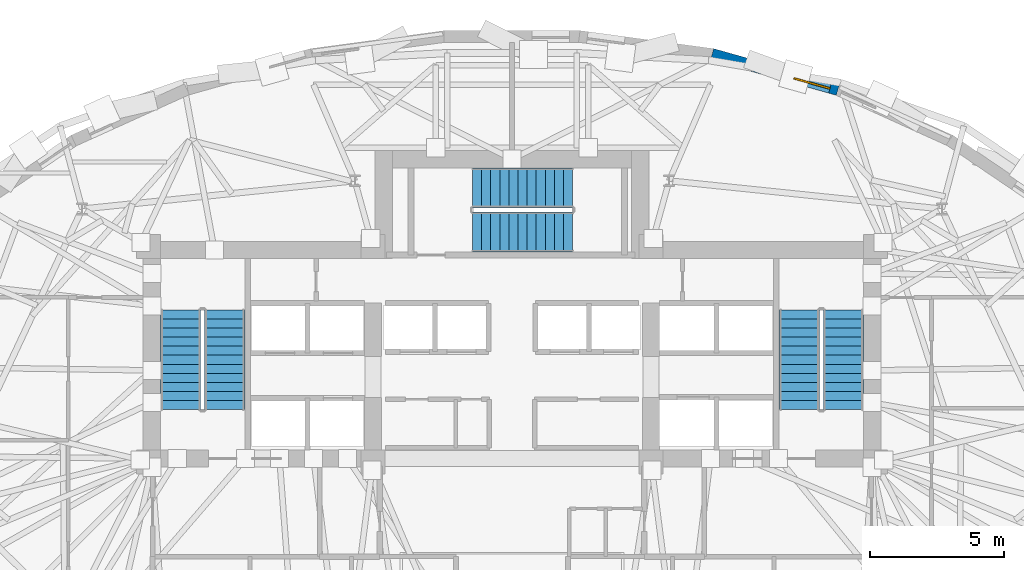
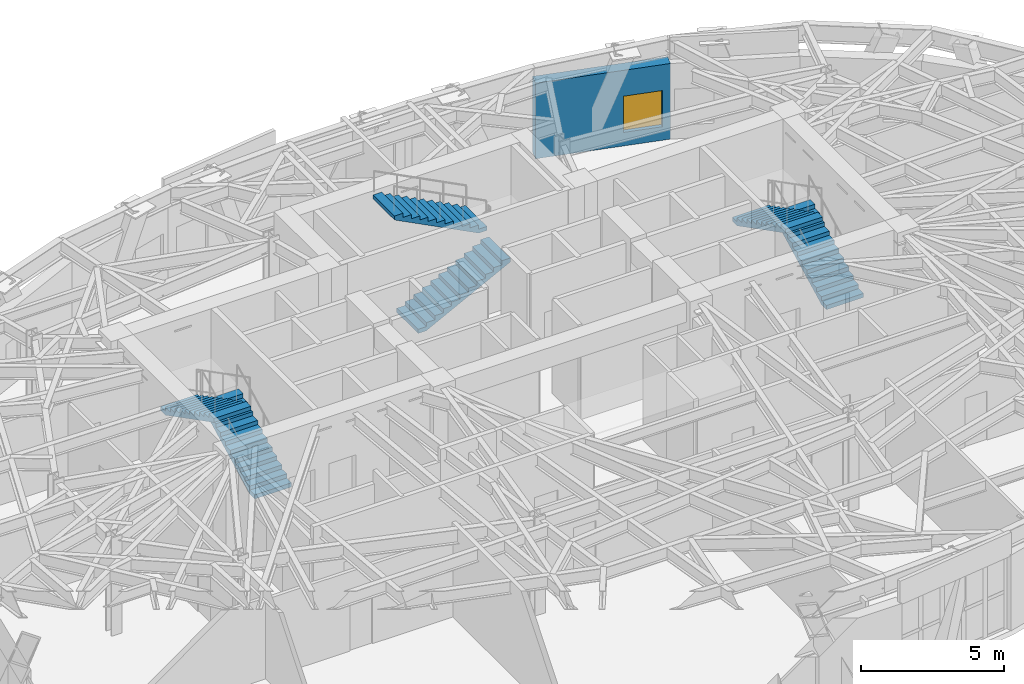
# One storey, part 12 of 16: 6 stair flights, 1 wall, 1 window, 1 opening, 3 elements without a shape of their own.
"""IFC4 building model written with IfcOpenShell, lengths in metres."""

from ifc_helpers import new_model, si_unit, direction, frame, frame_2d, origin, place, context, subcontext, project, spatial, polyline, rectangle, outline, extrude, material, layer, layer_set, type_object, element, fill, aggregate, save


model = new_model("IFC4")

# Units and contexts
model_context = context("Model", 3, precision=1e-05, world=origin(), true_north=direction((0.0, 1.0)))
body_context = subcontext(model_context, "Body", "Model", "MODEL_VIEW")
ifc_project = project(units=[si_unit("LENGTHUNIT", "METRE"), si_unit("AREAUNIT", "SQUARE_METRE"), si_unit("VOLUMEUNIT", "CUBIC_METRE"), si_unit("PLANEANGLEUNIT", "RADIAN"), si_unit("MASSUNIT", "GRAM", prefix="KILO")], contexts=[model_context])

# Site, building, storey
site_placement = place(None, origin())
site = spatial("IfcSite", under=ifc_project, at=site_placement, CompositionType="ELEMENT")
building_placement = place(site_placement, origin())
building = spatial("IfcBuilding", under=site, at=building_placement, Name="Keldmark Tower", CompositionType="ELEMENT")
storey_placement = place(building_placement, frame((0.0, 0.0, 139.60009765625)))
storey = spatial("IfcBuildingStorey", under=building, at=storey_placement, Name="L37", CompositionType="ELEMENT", Elevation=139.60009765625)

# Wall, opening, window
ifc_material_1 = material(Name="Ironspot Manganese Brick and Kasota Buff Limestone Spandrel Assembly", Category="masonry")
ifc_layer = layer(ifc_material_1, 0.43994140625)
ifc_layer_set = layer_set([ifc_layer], Name="Ironspot Manganese Brick and Kasota Buff Limestone Spandrel Assembly")
wall_type = type_object("IfcWallType", Name="Tower Brick Pier and Spandrel Wall 440 mm", PredefinedType="STANDARD", material=ifc_layer_set)
wall_placement = place(storey_placement, frame((7.48779296875, 16.6494140625, 0.0), z_axis=(0.0, 0.0, 1.0), x_axis=(0.962790668442, -0.270248272446, 0.0)))
wall = element("IfcWall", 1, at=wall_placement, inside=storey, type_object=wall_type, Name="L37 Exterior Brick and Spandrel Wall 06", PredefinedType="STANDARD", context=body_context, shape_type="SweptSolid", body=[
    extrude(rectangle(XDim=4.890869140625, YDim=0.43994140625, at=frame_2d((2.4453125, 0.0))), origin(), (0.0, 0.0, 1.0), 3.23779296875),
])
opening_placement = place(wall_placement, frame((3.191162109375, 0.0, 0.580078125)))
opening = element("IfcOpeningElement", 2, at=opening_placement, cuts=wall, Name="Opening W-08", PredefinedType="OPENING", context=body_context, shape_type="SweptSolid", body=[
    extrude(rectangle(XDim=1.39990234375, YDim=1.550048828125, at=frame_2d((0.699951171875, 0.77490234375))), frame((0.0, 0.22998046875, 0.0), z_axis=(0.0, -1.0, 0.0), x_axis=(1.0, 0.0, 0.0)), (0.0, 0.0, 1.0), 0.4599609375),
])
ifc_material_2 = material(Name="Thermally Broken Anodized Aluminum and Triple Low-E Argon Glazing", Category="aluminium")
window_type = type_object("IfcWindowType", Name="Residential Corner Punched Window 1400x1550", PartitioningType="SINGLE_PANEL", PredefinedType="WINDOW", material=ifc_material_2)
window_placement = place(opening_placement, origin())
window = element("IfcWindow", 3, at=window_placement, inside=storey, type_object=window_type, Name="L37 Deep-Set Window 06", OverallHeight=1.550048828125, OverallWidth=1.39990234375, PartitioningType="SINGLE_PANEL", PredefinedType="WINDOW", context=body_context, shape_type="SweptSolid", body=[
    extrude(rectangle(XDim=1.39990234375, YDim=1.550048828125, at=frame_2d((0.699951171875, 0.77490234375))), frame((0.0, -0.010009765625, 0.0), z_axis=(0.0, -1.0, 0.0), x_axis=(1.0, 0.0, 0.0)), (0.0, 0.0, 1.0), 0.06005859375),
])
fill(opening, window)

# Stair, stair flights
ifc_material_3 = material(Name="Concrete C40/50", Category="concrete")
stair_type = type_object("IfcStairType", Name="Precast Concrete Core Exit Stair", PredefinedType="HALF_TURN_STAIR", material=ifc_material_3)
stair_1_placement = place(storey_placement, origin())
stair_1 = element("IfcStair", 4, at=stair_1_placement, inside=storey, type_object=stair_type, Name="L37 Exit Stair ST1", PredefinedType="HALF_TURN_STAIR")
ifc_material_4 = material(Name="Concrete C40/50", Category="concrete")
stair_flight_type = type_object("IfcStairFlightType", Name="Precast Concrete Stair Flight 1500 mm", PredefinedType="STRAIGHT", material=ifc_material_4)
stair_flight_1_placement = place(storey_placement, frame((-10.75, 3.35009765625, 0.0), z_axis=(0.0, 0.0, 1.0), x_axis=(0.0, 1.0, 0.0)))
stair_flight_1 = element("IfcStairFlight", 5, at=stair_flight_1_placement, type_object=stair_flight_type, Name="ST1 flight 1", NumberOfRisers=12, NumberOfTreads=11, PredefinedType="STRAIGHT", RiserHeight=0.175, TreadLength=0.34, context=body_context, shape_type="SweptSolid", body=[
    extrude(outline(polyline([(0.0, 0.0), (0.0, 0.175048828125), (0.340087890625, 0.175048828125), (0.340087890625, 0.35009765625), (0.679931640625, 0.35009765625), (0.679931640625, 0.52490234375), (1.02001953125, 0.52490234375), (1.02001953125, 0.699951171875), (1.360107421875, 0.699951171875), (1.360107421875, 0.875), (1.699951171875, 0.875), (1.699951171875, 1.050048828125), (2.0400390625, 1.050048828125), (2.0400390625, 1.22509765625), (2.3798828125, 1.22509765625), (2.3798828125, 1.39990234375), (2.719970703125, 1.39990234375), (2.719970703125, 1.574951171875), (3.06005859375, 1.574951171875), (3.06005859375, 1.75), (3.39990234375, 1.75), (3.39990234375, 1.925048828125), (3.739990234375, 1.925048828125), (3.739990234375, 2.10009765625), (3.739990234375, 1.75634765625), (0.32763671875, 0.0), (0.0, 0.0)])), frame((0.0, 0.75, 0.0), z_axis=(0.0, -1.0, 0.0), x_axis=(1.0, 0.0, 0.0)), (0.0, 0.0, 1.0), 1.5),
])
stair_flight_2_placement = place(storey_placement, frame((-12.39990234375, 7.090087890625, 2.099853515625), z_axis=(0.0, 0.0, 1.0), x_axis=(0.0, -1.0, 0.0)))
stair_flight_2 = element("IfcStairFlight", 6, at=stair_flight_2_placement, type_object=stair_flight_type, Name="ST1 flight 2", NumberOfRisers=12, NumberOfTreads=11, PredefinedType="STRAIGHT", RiserHeight=0.175, TreadLength=0.34, context=body_context, shape_type="SweptSolid", body=[
    extrude(outline(polyline([(0.0, 0.0), (0.0, 0.175048828125), (0.340087890625, 0.175048828125), (0.340087890625, 0.35009765625), (0.679931640625, 0.35009765625), (0.679931640625, 0.52490234375), (1.02001953125, 0.52490234375), (1.02001953125, 0.699951171875), (1.360107421875, 0.699951171875), (1.360107421875, 0.875), (1.699951171875, 0.875), (1.699951171875, 1.050048828125), (2.0400390625, 1.050048828125), (2.0400390625, 1.22509765625), (2.3798828125, 1.22509765625), (2.3798828125, 1.39990234375), (2.719970703125, 1.39990234375), (2.719970703125, 1.574951171875), (3.06005859375, 1.574951171875), (3.06005859375, 1.75), (3.39990234375, 1.75), (3.39990234375, 1.925048828125), (3.739990234375, 1.925048828125), (3.739990234375, 2.10009765625), (3.739990234375, 1.75634765625), (0.32763671875, 0.0), (0.0, 0.0)])), frame((0.0, 0.75, 0.0), z_axis=(0.0, -1.0, 0.0), x_axis=(1.0, 0.0, 0.0)), (0.0, 0.0, 1.0), 1.5),
])
aggregate(stair_1, [stair_flight_1, stair_flight_2])

stair_2_placement = place(storey_placement, origin())
stair_2 = element("IfcStair", 7, at=stair_2_placement, inside=storey, type_object=stair_type, Name="L37 Exit Stair ST2", PredefinedType="HALF_TURN_STAIR")
stair_flight_3_placement = place(storey_placement, frame((12.39990234375, 3.35009765625, 0.0), z_axis=(0.0, 0.0, 1.0), x_axis=(0.0, 1.0, 0.0)))
stair_flight_3 = element("IfcStairFlight", 8, at=stair_flight_3_placement, type_object=stair_flight_type, Name="ST2 flight 1", NumberOfRisers=12, NumberOfTreads=11, PredefinedType="STRAIGHT", RiserHeight=0.175, TreadLength=0.34, context=body_context, shape_type="SweptSolid", body=[
    extrude(outline(polyline([(0.0, 0.0), (0.0, 0.175048828125), (0.340087890625, 0.175048828125), (0.340087890625, 0.35009765625), (0.679931640625, 0.35009765625), (0.679931640625, 0.52490234375), (1.02001953125, 0.52490234375), (1.02001953125, 0.699951171875), (1.360107421875, 0.699951171875), (1.360107421875, 0.875), (1.699951171875, 0.875), (1.699951171875, 1.050048828125), (2.0400390625, 1.050048828125), (2.0400390625, 1.22509765625), (2.3798828125, 1.22509765625), (2.3798828125, 1.39990234375), (2.719970703125, 1.39990234375), (2.719970703125, 1.574951171875), (3.06005859375, 1.574951171875), (3.06005859375, 1.75), (3.39990234375, 1.75), (3.39990234375, 1.925048828125), (3.739990234375, 1.925048828125), (3.739990234375, 2.10009765625), (3.739990234375, 1.75634765625), (0.32763671875, 0.0), (0.0, 0.0)])), frame((0.0, 0.75, 0.0), z_axis=(0.0, -1.0, 0.0), x_axis=(1.0, 0.0, 0.0)), (0.0, 0.0, 1.0), 1.5),
])
stair_flight_4_placement = place(storey_placement, frame((10.75, 7.090087890625, 2.099853515625), z_axis=(0.0, 0.0, 1.0), x_axis=(0.0, -1.0, 0.0)))
stair_flight_4 = element("IfcStairFlight", 9, at=stair_flight_4_placement, type_object=stair_flight_type, Name="ST2 flight 2", NumberOfRisers=12, NumberOfTreads=11, PredefinedType="STRAIGHT", RiserHeight=0.175, TreadLength=0.34, context=body_context, shape_type="SweptSolid", body=[
    extrude(outline(polyline([(0.0, 0.0), (0.0, 0.175048828125), (0.340087890625, 0.175048828125), (0.340087890625, 0.35009765625), (0.679931640625, 0.35009765625), (0.679931640625, 0.52490234375), (1.02001953125, 0.52490234375), (1.02001953125, 0.699951171875), (1.360107421875, 0.699951171875), (1.360107421875, 0.875), (1.699951171875, 0.875), (1.699951171875, 1.050048828125), (2.0400390625, 1.050048828125), (2.0400390625, 1.22509765625), (2.3798828125, 1.22509765625), (2.3798828125, 1.39990234375), (2.719970703125, 1.39990234375), (2.719970703125, 1.574951171875), (3.06005859375, 1.574951171875), (3.06005859375, 1.75), (3.39990234375, 1.75), (3.39990234375, 1.925048828125), (3.739990234375, 1.925048828125), (3.739990234375, 2.10009765625), (3.739990234375, 1.75634765625), (0.32763671875, 0.0), (0.0, 0.0)])), frame((0.0, 0.75, 0.0), z_axis=(0.0, -1.0, 0.0), x_axis=(1.0, 0.0, 0.0)), (0.0, 0.0, 1.0), 1.5),
])
aggregate(stair_2, [stair_flight_3, stair_flight_4])

stair_3_placement = place(storey_placement, origin())
stair_3 = element("IfcStair", 10, at=stair_3_placement, inside=storey, type_object=stair_type, Name="L37 Exit Stair ST3", PredefinedType="HALF_TURN_STAIR")
stair_flight_5_placement = place(storey_placement, frame((-1.47509765625, 10.0, 0.0), z_axis=(0.0, 0.0, 1.0), x_axis=(1.0, 0.0, 0.0)))
stair_flight_5 = element("IfcStairFlight", 11, at=stair_flight_5_placement, type_object=stair_flight_type, Name="ST3 flight 1", NumberOfRisers=12, NumberOfTreads=11, PredefinedType="STRAIGHT", RiserHeight=0.175, TreadLength=0.34, context=body_context, shape_type="SweptSolid", body=[
    extrude(outline(polyline([(0.0, 0.0), (0.0, 0.175048828125), (0.340087890625, 0.175048828125), (0.340087890625, 0.35009765625), (0.679931640625, 0.35009765625), (0.679931640625, 0.52490234375), (1.02001953125, 0.52490234375), (1.02001953125, 0.699951171875), (1.360107421875, 0.699951171875), (1.360107421875, 0.875), (1.699951171875, 0.875), (1.699951171875, 1.050048828125), (2.0400390625, 1.050048828125), (2.0400390625, 1.22509765625), (2.3798828125, 1.22509765625), (2.3798828125, 1.39990234375), (2.719970703125, 1.39990234375), (2.719970703125, 1.574951171875), (3.06005859375, 1.574951171875), (3.06005859375, 1.75), (3.39990234375, 1.75), (3.39990234375, 1.925048828125), (3.739990234375, 1.925048828125), (3.739990234375, 2.10009765625), (3.739990234375, 1.75634765625), (0.32763671875, 0.0), (0.0, 0.0)])), frame((0.0, 0.75, 0.0), z_axis=(0.0, -1.0, 0.0), x_axis=(1.0, 0.0, 0.0)), (0.0, 0.0, 1.0), 1.5),
])
stair_flight_6_placement = place(storey_placement, frame((2.264892578125, 11.64990234375, 2.099853515625), z_axis=(0.0, 0.0, 1.0), x_axis=(-1.0, 0.0, 0.0)))
stair_flight_6 = element("IfcStairFlight", 12, at=stair_flight_6_placement, type_object=stair_flight_type, Name="ST3 flight 2", NumberOfRisers=12, NumberOfTreads=11, PredefinedType="STRAIGHT", RiserHeight=0.175, TreadLength=0.34, context=body_context, shape_type="SweptSolid", body=[
    extrude(outline(polyline([(0.0, 0.0), (0.0, 0.175048828125), (0.340087890625, 0.175048828125), (0.340087890625, 0.35009765625), (0.679931640625, 0.35009765625), (0.679931640625, 0.52490234375), (1.02001953125, 0.52490234375), (1.02001953125, 0.699951171875), (1.360107421875, 0.699951171875), (1.360107421875, 0.875), (1.699951171875, 0.875), (1.699951171875, 1.050048828125), (2.0400390625, 1.050048828125), (2.0400390625, 1.22509765625), (2.3798828125, 1.22509765625), (2.3798828125, 1.39990234375), (2.719970703125, 1.39990234375), (2.719970703125, 1.574951171875), (3.06005859375, 1.574951171875), (3.06005859375, 1.75), (3.39990234375, 1.75), (3.39990234375, 1.925048828125), (3.739990234375, 1.925048828125), (3.739990234375, 2.10009765625), (3.739990234375, 1.75634765625), (0.32763671875, 0.0), (0.0, 0.0)])), frame((0.0, 0.75, 0.0), z_axis=(0.0, -1.0, 0.0), x_axis=(1.0, 0.0, 0.0)), (0.0, 0.0, 1.0), 1.5),
])
aggregate(stair_3, [stair_flight_5, stair_flight_6])

save(model, "model.ifc")
